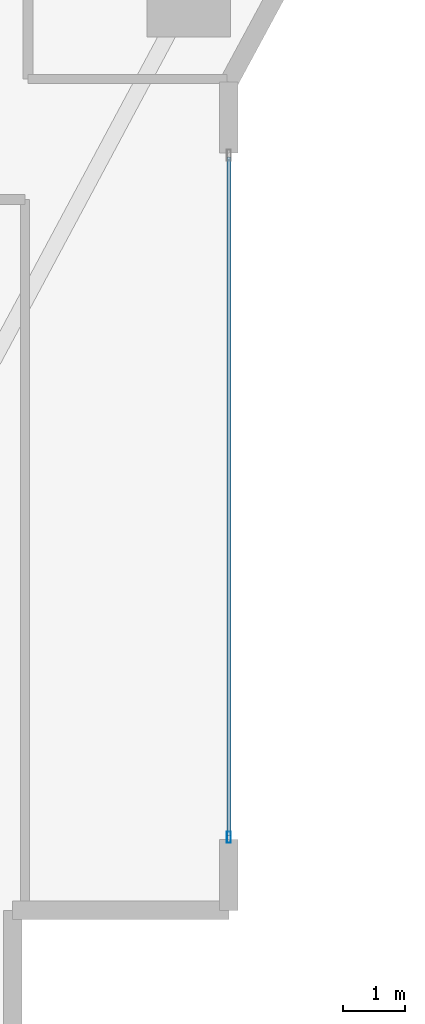
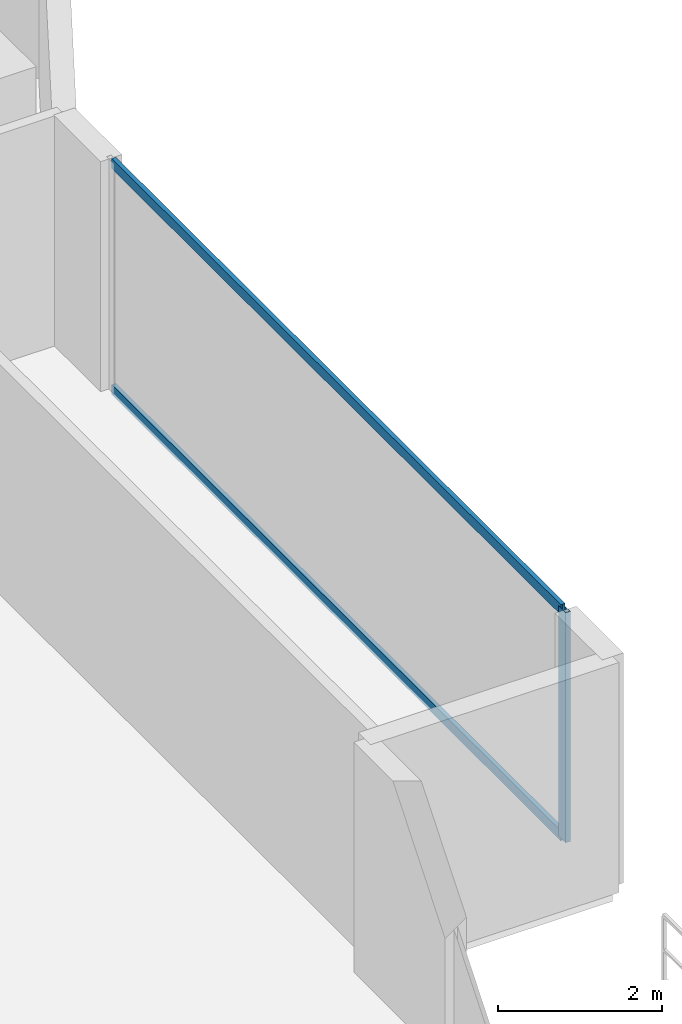
# One storey, part 11 of 29: 3 members, 1 element without a shape of its own.
"""IFC4 building model written with IfcOpenShell, lengths in metres."""

from ifc_helpers import new_model, si_unit, direction, frame, origin, origin_2d, place, context, subcontext, project, spatial, hollow_rectangle, extrude, material, layer, layer_set, material_profile, profile_set, type_object, element, aggregate, save


model = new_model("IFC4")

# Units and contexts
model_context = context("Model", 3, precision=1e-05, world=origin(), true_north=direction((0.0, 1.0)))
body_context = subcontext(model_context, "Body", "Model", "MODEL_VIEW")
ifc_project = project(units=[si_unit("LENGTHUNIT", "METRE"), si_unit("AREAUNIT", "SQUARE_METRE"), si_unit("VOLUMEUNIT", "CUBIC_METRE"), si_unit("PLANEANGLEUNIT", "RADIAN"), si_unit("MASSUNIT", "GRAM", prefix="KILO")], contexts=[model_context])

# Site, building, storey
site_placement = place(None, origin())
site = spatial("IfcSite", under=ifc_project, at=site_placement, CompositionType="ELEMENT")
building_placement = place(site_placement, origin())
building = spatial("IfcBuilding", under=site, at=building_placement, Name="Zuhayl Quay Hotel", CompositionType="ELEMENT")
storey_placement = place(building_placement, frame((0.0, 0.0, 132.14990234375)))
storey = spatial("IfcBuildingStorey", under=building, at=storey_placement, Name="L33", CompositionType="ELEMENT", Elevation=132.14990234375)

# Curtain wall, members
ifc_material_1 = material(Name="Anodised Aluminium 6063-T6", Category="aluminium")
ifc_layer = layer(ifc_material_1, 0.179931640625, Name="Anodised Aluminium 6063-T6", Category="aluminium")
ifc_layer_set = layer_set([ifc_layer], Name="Anodised Aluminium 6063-T6")
curtain_wall_type = type_object("IfcCurtainWallType", Name="CW_SYS_Z2", PredefinedType="USERDEFINED", material=ifc_layer_set)
curtain_wall_placement = place(storey_placement, origin())
curtain_wall = element("IfcCurtainWall", 1, at=curtain_wall_placement, inside=storey, type_object=curtain_wall_type, Name="L33 Curtain Wall ENV_L33_E14_CW1", ObjectType="UNITISED CURTAIN WALL", PredefinedType="USERDEFINED")
ifc_material_2 = material(Name="Black-anodised aluminium 6063-T6", Category="aluminium")
ifc_material_profile_1 = material_profile(ifc_material_2, hollow_rectangle(XDim=0.06494140625, YDim=0.179931640625, WallThickness=0.00341796875, at=origin_2d()), Name="ALU180X65")
ifc_profile_set_1 = profile_set([ifc_material_profile_1], Name="Black-anodised aluminium 6063-T6")
member_type_1 = type_object("IfcMemberType", Name="MB_CW_MUL_180", PredefinedType="MULLION", material=ifc_profile_set_1)
member_1_placement = place(storey_placement, frame((23.89990234375, -10.717529296875, 0.0), z_axis=(0.0, 0.0, 1.0), x_axis=(1.0, 0.0, 0.0)))
member_1 = element("IfcMember", 2, at=member_1_placement, type_object=member_type_1, Name="CW-Z2 mullion 2", PredefinedType="MULLION", context=body_context, shape_type="SweptSolid", body=[
    extrude(hollow_rectangle(XDim=0.06494140625, YDim=0.179931640625, WallThickness=0.00341796875, at=origin_2d()), origin(), (0.0, 0.0, 1.0), 3.43017578125),
])
ifc_material_profile_2 = material_profile(ifc_material_2, hollow_rectangle(XDim=0.06005859375, YDim=0.14990234375, WallThickness=0.00341796875, at=origin_2d()), Name="ALU150X60")
ifc_profile_set_2 = profile_set([ifc_material_profile_2], Name="Black-anodised aluminium 6063-T6")
member_type_2 = type_object("IfcMemberType", Name="MB_CW_TRN_150", PredefinedType="USERDEFINED", material=ifc_profile_set_2)
member_2_placement = place(storey_placement, frame((23.89990234375, 0.284912109375, 0.030029296875), z_axis=(0.0, -1.0, 0.0), x_axis=(1.0, 0.0, 0.0)))
member_2 = element("IfcMember", 3, at=member_2_placement, type_object=member_type_2, Name="CW-Z2 transom 1.1", ObjectType="TRANSOM", PredefinedType="USERDEFINED", context=body_context, shape_type="SweptSolid", body=[
    extrude(hollow_rectangle(XDim=0.06005859375, YDim=0.14990234375, WallThickness=0.00341796875, at=origin_2d()), origin(), (0.0, 0.0, 1.0), 10.969970703125),
])
member_3_placement = place(storey_placement, frame((23.89990234375, 0.284912109375, 3.400146484375), z_axis=(0.0, -1.0, 0.0), x_axis=(1.0, 0.0, 0.0)))
member_3 = element("IfcMember", 4, at=member_3_placement, type_object=member_type_2, Name="CW-Z2 transom 1.2", ObjectType="TRANSOM", PredefinedType="USERDEFINED", context=body_context, shape_type="SweptSolid", body=[
    extrude(hollow_rectangle(XDim=0.06005859375, YDim=0.14990234375, WallThickness=0.00341796875, at=origin_2d()), origin(), (0.0, 0.0, 1.0), 10.969970703125),
])
aggregate(curtain_wall, [member_1, member_2, member_3])

save(model, "model.ifc")
